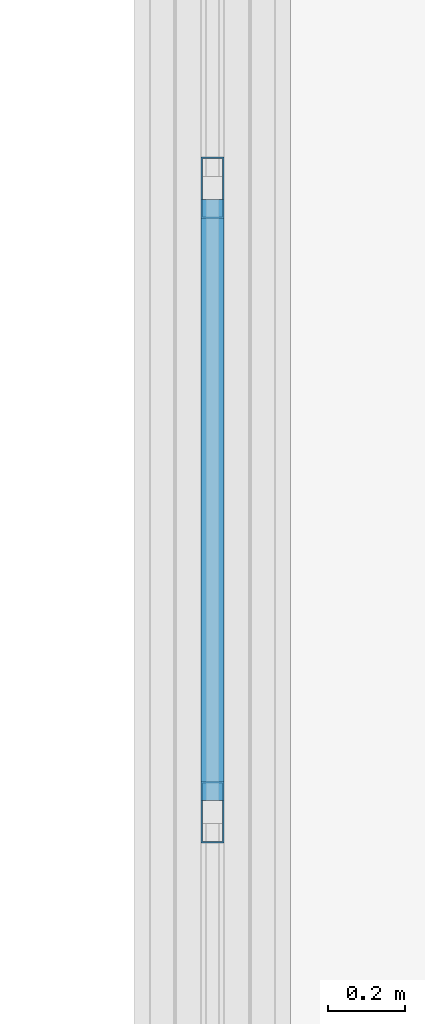
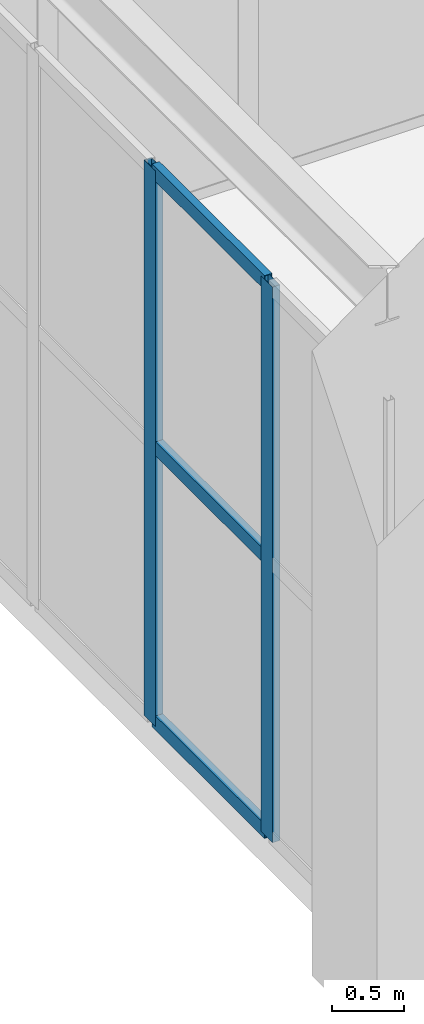
# One storey, part 147 of 223: 5 members, 1 element without a shape of its own.
"""IFC4 building model written with IfcOpenShell, lengths in metres."""

from ifc_helpers import new_model, si_unit, direction, frame, origin, origin_2d, place, context, subcontext, project, spatial, hollow_rectangle, extrude, material, layer, layer_set, material_profile, profile_set, type_object, element, aggregate, save


model = new_model("IFC4")

# Units and contexts
model_context = context("Model", 3, precision=1e-05, world=origin(), true_north=direction((0.0, 1.0)))
body_context = subcontext(model_context, "Body", "Model", "MODEL_VIEW")
ifc_project = project(units=[si_unit("LENGTHUNIT", "METRE"), si_unit("AREAUNIT", "SQUARE_METRE"), si_unit("VOLUMEUNIT", "CUBIC_METRE"), si_unit("PLANEANGLEUNIT", "RADIAN"), si_unit("MASSUNIT", "GRAM", prefix="KILO")], contexts=[model_context])

# Site, building, storey
site_placement = place(None, origin())
site = spatial("IfcSite", under=ifc_project, at=site_placement, CompositionType="ELEMENT")
building_placement = place(site_placement, origin())
building = spatial("IfcBuilding", under=site, at=building_placement, Name="Dornveld Trade and Exhibition Forum", CompositionType="ELEMENT")
storey_placement = place(building_placement, frame((0.0, 0.0, 6.0)))
storey = spatial("IfcBuildingStorey", under=building, at=storey_placement, Name="L01", CompositionType="ELEMENT", Elevation=6.0)

# Curtain wall, members
ifc_material_1 = material(Name="Dark-bronze anodised aluminium and low-E glass", Category="aluminium")
ifc_layer = layer(ifc_material_1, 0.180908203125)
ifc_layer_set = layer_set([ifc_layer], Name="Dark-bronze anodised aluminium and low-E glass")
curtain_wall_type = type_object("IfcCurtainWallType", Name="CW-SYS-13", PredefinedType="USERDEFINED", material=ifc_layer_set)
curtain_wall_placement = place(storey_placement, origin())
curtain_wall = element("IfcCurtainWall", 1, at=curtain_wall_placement, inside=storey, type_object=curtain_wall_type, Name="L01 unitised curtain wall 13", ObjectType="UNITISED_CURTAIN_WALL", PredefinedType="USERDEFINED")
ifc_material_2 = material(Name="Dark-bronze anodised aluminium", Category="aluminium")
ifc_material_profile_1 = material_profile(ifc_material_2, hollow_rectangle(XDim=0.06005859375, YDim=0.159912109375, WallThickness=0.00390625, at=origin_2d()), Name="RHS 160x60x4")
ifc_profile_set_1 = profile_set([ifc_material_profile_1], Name="Dark-bronze anodised aluminium")
member_type_1 = type_object("IfcMemberType", Name="CW-MUL-160", PredefinedType="MULLION", material=ifc_profile_set_1)
member_1_placement = place(storey_placement, frame((171.0, 137.067626953125, -0.00390625), z_axis=(0.0, 0.0, 1.0), x_axis=(-1.0, 0.0, 0.0)))
member_1 = element("IfcMember", 2, at=member_1_placement, type_object=member_type_1, Name="CW-13 mullion 2", PredefinedType="MULLION", context=body_context, shape_type="SweptSolid", body=[
    extrude(hollow_rectangle(XDim=0.06005859375, YDim=0.159912109375, WallThickness=0.00390625, at=origin_2d()), origin(), (0.0, 0.0, 1.0), 4.703857421875),
])
member_2_placement = place(storey_placement, frame((171.0, 138.689208984375, -0.00390625), z_axis=(0.0, 0.0, 1.0), x_axis=(-1.0, 0.0, 0.0)))
member_2 = element("IfcMember", 3, at=member_2_placement, type_object=member_type_1, Name="CW-13 mullion 3", PredefinedType="MULLION", context=body_context, shape_type="SweptSolid", body=[
    extrude(hollow_rectangle(XDim=0.06005859375, YDim=0.159912109375, WallThickness=0.00390625, at=origin_2d()), origin(), (0.0, 0.0, 1.0), 4.703857421875),
])
ifc_material_3 = material(Name="Dark-bronze anodised aluminium", Category="aluminium")
ifc_material_profile_2 = material_profile(ifc_material_3, hollow_rectangle(XDim=0.06005859375, YDim=0.1201171875, WallThickness=0.00390625, at=origin_2d()), Name="RHS 120x60x4")
ifc_profile_set_2 = profile_set([ifc_material_profile_2], Name="Dark-bronze anodised aluminium")
member_type_2 = type_object("IfcMemberType", Name="CW-TRN-120", PredefinedType="USERDEFINED", material=ifc_profile_set_2)
member_3_placement = place(storey_placement, frame((171.0, 137.09765625, 0.02587890625), z_axis=(0.0, 1.0, 0.0), x_axis=(-1.0, 0.0, 0.0)))
member_3 = element("IfcMember", 4, at=member_3_placement, type_object=member_type_2, Name="CW-13 transom 2.1", ObjectType="TRANSOM", PredefinedType="USERDEFINED", context=body_context, shape_type="SweptSolid", body=[
    extrude(hollow_rectangle(XDim=0.06005859375, YDim=0.1201171875, WallThickness=0.00390625, at=origin_2d()), origin(), (0.0, 0.0, 1.0), 1.5615234375),
])
member_4_placement = place(storey_placement, frame((171.0, 137.09765625, 2.347900390625), z_axis=(0.0, 1.0, 0.0), x_axis=(-1.0, 0.0, 0.0)))
member_4 = element("IfcMember", 5, at=member_4_placement, type_object=member_type_2, Name="CW-13 transom 2.2", ObjectType="TRANSOM", PredefinedType="USERDEFINED", context=body_context, shape_type="SweptSolid", body=[
    extrude(hollow_rectangle(XDim=0.06005859375, YDim=0.1201171875, WallThickness=0.00390625, at=origin_2d()), origin(), (0.0, 0.0, 1.0), 1.5615234375),
])
member_5_placement = place(storey_placement, frame((171.0, 137.09765625, 4.669921875), z_axis=(0.0, 1.0, 0.0), x_axis=(-1.0, 0.0, 0.0)))
member_5 = element("IfcMember", 6, at=member_5_placement, type_object=member_type_2, Name="CW-13 transom 2.3", ObjectType="TRANSOM", PredefinedType="USERDEFINED", context=body_context, shape_type="SweptSolid", body=[
    extrude(hollow_rectangle(XDim=0.06005859375, YDim=0.1201171875, WallThickness=0.00390625, at=origin_2d()), origin(), (0.0, 0.0, 1.0), 1.5615234375),
])
aggregate(curtain_wall, [member_1, member_2, member_3, member_4, member_5])

save(model, "model.ifc")
